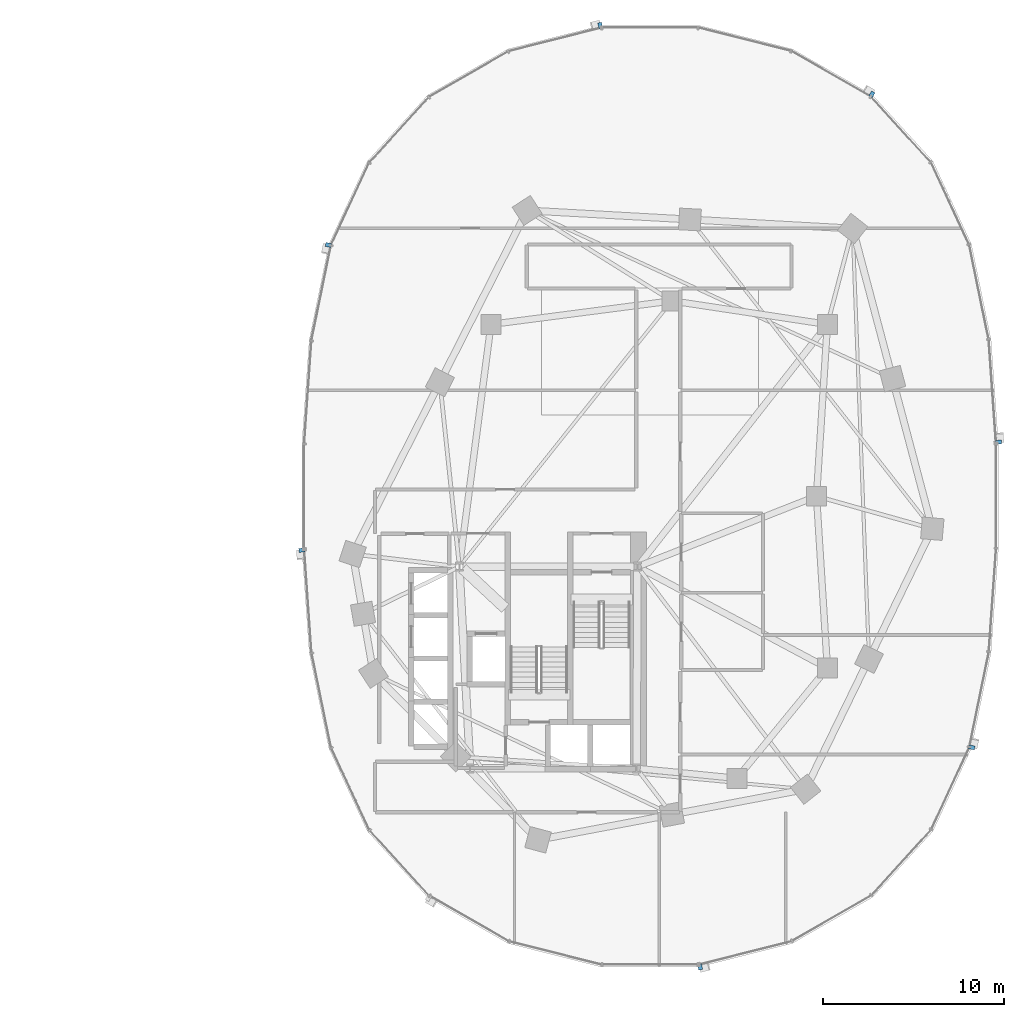
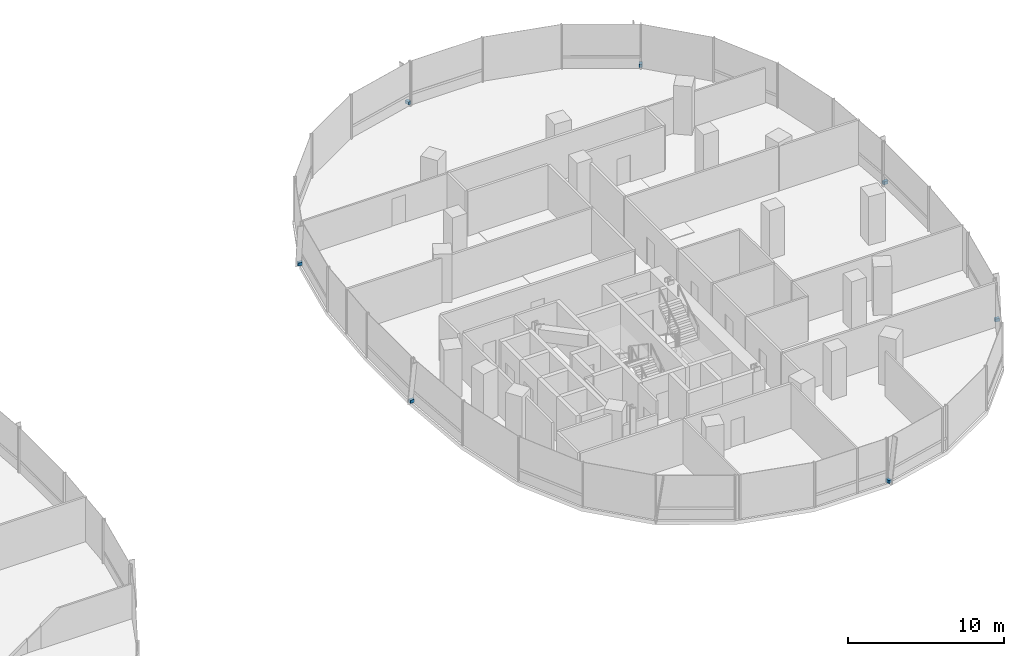
# One storey, part 16 of 21: 7 discrete accessories.
"""IFC4 building model written with IfcOpenShell, lengths in metres."""

from ifc_helpers import new_model, si_unit, direction, frame, origin, origin_2d, place, context, subcontext, project, spatial, rectangle, extrude, material, type_object, element, save


model = new_model("IFC4")

# Units and contexts
model_context = context("Model", 3, precision=1e-05, world=origin(), true_north=direction((0.0, 1.0)))
body_context = subcontext(model_context, "Body", "Model", "MODEL_VIEW")
ifc_project = project(units=[si_unit("LENGTHUNIT", "METRE"), si_unit("AREAUNIT", "SQUARE_METRE"), si_unit("VOLUMEUNIT", "CUBIC_METRE"), si_unit("PLANEANGLEUNIT", "RADIAN"), si_unit("MASSUNIT", "GRAM", prefix="KILO"), si_unit("THERMODYNAMICTEMPERATUREUNIT", "KELVIN"), si_unit("POWERUNIT", "WATT")], contexts=[model_context])

# Site, building, storey
site_placement = place(None, origin())
site = spatial("IfcSite", under=ifc_project, at=site_placement, CompositionType="ELEMENT")
building_placement = place(site_placement, origin())
building = spatial("IfcBuilding", under=site, at=building_placement, Name="Cundina Bronze Exchange", CompositionType="ELEMENT")
storey_placement = place(building_placement, frame((0.0, 0.0, 58.199951171875)))
storey = spatial("IfcBuildingStorey", under=building, at=storey_placement, Name="L14", CompositionType="ELEMENT", Elevation=58.199951171875)

# Discrete accessories
ifc_material = material(Name="Anodised Bronze Aluminium 6063-T6", Category="aluminium")
discrete_accessory_type = type_object("IfcDiscreteAccessoryType", Name="ACC-BRK-FIN", PredefinedType="BRACKET", material=ifc_material)
for number, where, z_axis, x_axis, name in (
    (1, (51.264404296875, 2.986083984375, 0.10009765625), (0.0, 0.0, 1.0), (-0.070278787473, 0.997527389113, 0.0), "L14 Fin Support Bracket 1"),
    (2, (44.259521484375, 22.21875, 0.10009765625), (0.0, 0.0, 1.0), (-0.867105478933, 0.498124571171, 0.0), "L14 Fin Support Bracket 5"),
    (3, (29.23974609375, 26.03173828125, 0.10009765625), (0.0, 0.0, 1.0), (-0.969488149345, -0.245138182011, 0.0), "L14 Fin Support Bracket 1"),
    (4, (14.211669921875, 13.8896484375, 0.10009765625), (0.0, 0.0, 1.0), (-0.201419845156, -0.979505000486, 0.0), "L14 Fin Support Bracket 5"),
    (5, (12.735595703125, -2.986083984375, 0.10009765625), (0.0, 0.0, 1.0), (0.070278787473, -0.997527389113, 0.0), "L14 Fin Support Bracket 1"),
    (6, (34.76025390625, -26.03173828125, 0.10009765625), (0.0, 0.0, 1.0), (0.969488149345, 0.245138182011, 0.0), "L14 Fin Support Bracket 1"),
    (7, (49.788330078125, -13.8896484375, 0.10009765625), (0.0, 0.0, 1.0), (0.201419845156, 0.979505000486, 0.0), "L14 Fin Support Bracket 5"),
):
    element("IfcDiscreteAccessory", number, at=place(storey_placement, frame(where, z_axis=z_axis, x_axis=x_axis)), inside=storey, type_object=discrete_accessory_type, Name=name, PredefinedType="BRACKET", context=body_context, shape_type="SweptSolid", body=[
        extrude(rectangle(XDim=0.219970703125, YDim=0.320068359375, at=origin_2d()), origin(), (0.0, 0.0, 1.0), 0.239990234375),
    ])

save(model, "model.ifc")
